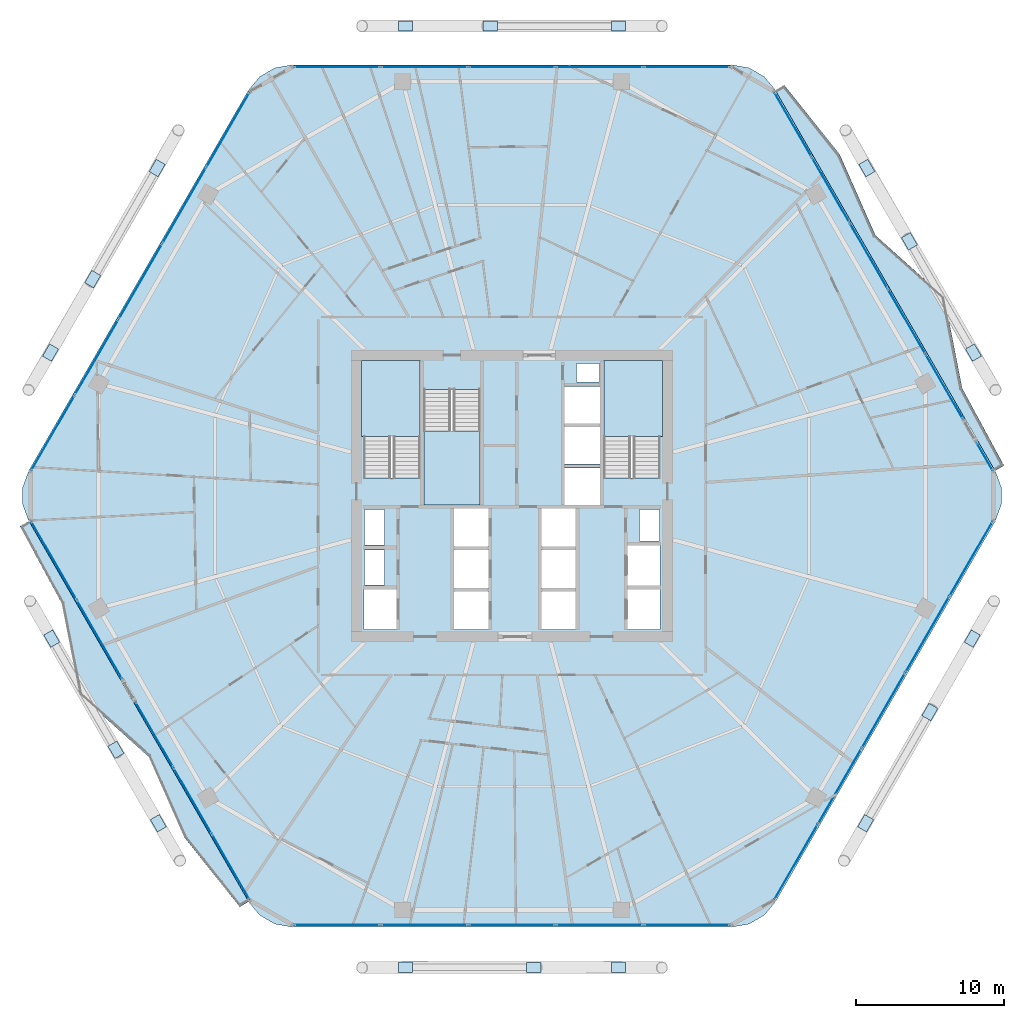
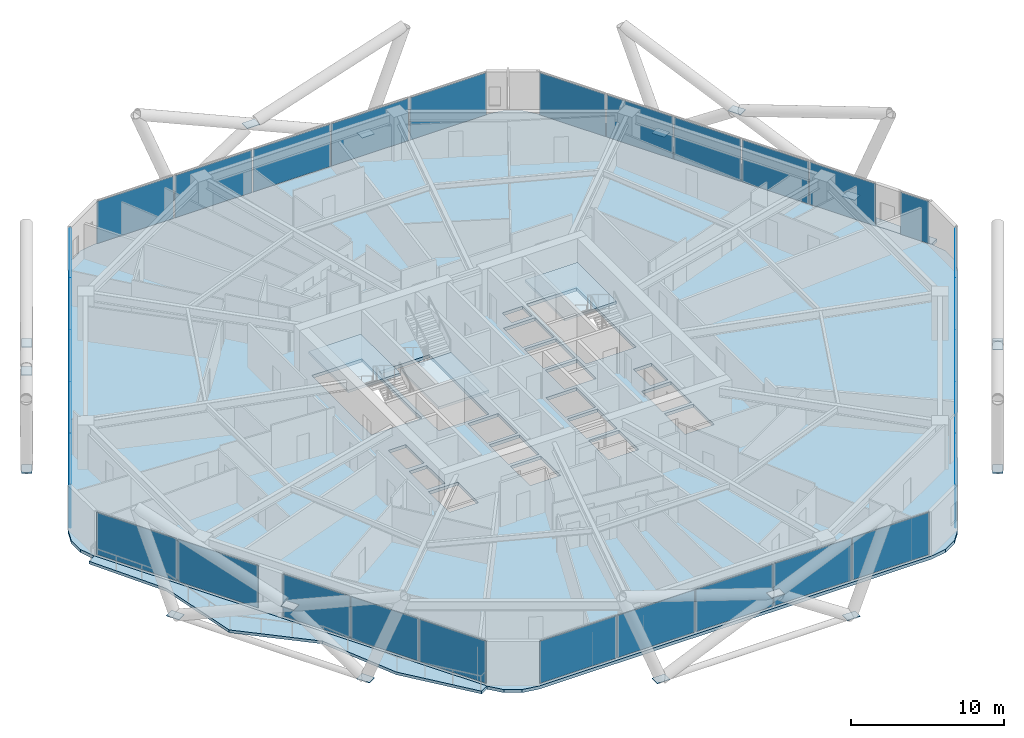
# One storey, part 25 of 34: 49 plates, 6 slabs, 11 elements without a shape of their own.
"""IFC4 building model written with IfcOpenShell, lengths in metres."""

from ifc_helpers import new_model, si_unit, direction, frame, origin, origin_2d, place, context, subcontext, project, spatial, polyline, rectangle, outline, extrude, material, layer, layer_set, type_object, element, aggregate, save


model = new_model("IFC4")

# Units and contexts
model_context = context("Model", 3, precision=1e-05, world=origin(), true_north=direction((0.0, 1.0)))
body_context = subcontext(model_context, "Body", "Model", "MODEL_VIEW")
ifc_project = project(units=[si_unit("LENGTHUNIT", "METRE"), si_unit("AREAUNIT", "SQUARE_METRE"), si_unit("VOLUMEUNIT", "CUBIC_METRE"), si_unit("PLANEANGLEUNIT", "RADIAN"), si_unit("MASSUNIT", "GRAM", prefix="KILO")], contexts=[model_context])

# Site, building, storey
site_placement = place(None, origin())
site = spatial("IfcSite", under=ifc_project, at=site_placement, CompositionType="ELEMENT")
building_placement = place(site_placement, origin())
building = spatial("IfcBuilding", under=site, at=building_placement, Name="Zuhravey Tower", CompositionType="ELEMENT")
storey_placement = place(building_placement, frame((0.0, 0.0, 100.0)))
storey = spatial("IfcBuildingStorey", under=building, at=storey_placement, Name="L24", CompositionType="ELEMENT", Elevation=100.0)

# Plates
ifc_material_1 = material(Name="Steel SM460", Category="steel")
ifc_layer_1 = layer(ifc_material_1, 0.0400390625)
ifc_layer_set_1 = layer_set([ifc_layer_1], Name="Steel SM460")
plate_type_1 = type_object("IfcPlateType", Name="Exoskeleton Zone 1 Node Plate ND1", PredefinedType="SHEET", material=ifc_layer_set_1)
for number, where, z_axis, x_axis, name in (
    (1, (67.143798828125, 41.67431640625, -0.484130859375), (0.0, 0.0, 1.0), (-0.5, 0.866025403784, 0.0), "L24 Exoskeleton Node Gusset L24-01"),
    (2, (59.949951171875, 54.13427734375, -0.484130859375), (0.0, 0.0, 1.0), (-0.5, 0.866025403784, 0.0), "L24 Exoskeleton Node Gusset L24-02"),
    (3, (43.19384765625, 63.718505859375, -0.484130859375), (0.0, 0.0, 1.0), (-1.0, 0.0, 0.0), "L24 Exoskeleton Node Gusset L24-03"),
    (4, (28.80615234375, 63.718505859375, -0.484130859375), (0.0, 0.0, 1.0), (-1.0, 0.0, 0.0), "L24 Exoskeleton Node Gusset L24-04"),
    (5, (12.050048828125, 54.13427734375, -0.484130859375), (0.0, 0.0, 1.0), (-0.5, -0.866025403784, 0.0), "L24 Exoskeleton Node Gusset L24-05"),
    (6, (4.856201171875, 41.67431640625, -0.484130859375), (0.0, 0.0, 1.0), (-0.5, -0.866025403784, 0.0), "L24 Exoskeleton Node Gusset L24-06"),
    (7, (4.93408203125, 22.370849609375, -0.484130859375), (0.0, 0.0, 1.0), (0.5, -0.866025403784, 0.0), "L24 Exoskeleton Node Gusset L24-07"),
    (8, (12.1279296875, 9.91064453125, -0.484130859375), (0.0, 0.0, 1.0), (0.5, -0.866025403784, 0.0), "L24 Exoskeleton Node Gusset L24-08"),
    (9, (28.80615234375, 0.19140625, -0.484130859375), (0.0, 0.0, 1.0), (1.0, 0.0, 0.0), "L24 Exoskeleton Node Gusset L24-09"),
    (10, (43.19384765625, 0.19140625, -0.484130859375), (0.0, 0.0, 1.0), (1.0, 0.0, 0.0), "L24 Exoskeleton Node Gusset L24-10"),
    (11, (59.8720703125, 9.91064453125, -0.484130859375), (0.0, 0.0, 1.0), (0.5, 0.866025403784, 0.0), "L24 Exoskeleton Node Gusset L24-11"),
    (12, (67.06591796875, 22.370849609375, -0.484130859375), (0.0, 0.0, 1.0), (0.5, 0.866025403784, 0.0), "L24 Exoskeleton Node Gusset L24-12"),
    (13, (62.82421875, 49.18603515625, 3.31591796875), (0.0, 0.0, 1.0), (-0.5, 0.866025403784, 0.0), "L24 Face 1 Diagrid X-Crossing Plate"),
    (14, (34.528564453125, 63.718505859375, 3.31591796875), (0.0, 0.0, 1.0), (-1.0, 0.0, 0.0), "L24 Face 2 Diagrid X-Crossing Plate"),
    (15, (7.704345703125, 46.637451171875, 3.31591796875), (0.0, 0.0, 1.0), (-0.5, -0.866025403784, 0.0), "L24 Face 3 Diagrid X-Crossing Plate"),
    (16, (9.266845703125, 14.866455078125, 3.31591796875), (0.0, 0.0, 1.0), (0.5, -0.866025403784, 0.0), "L24 Face 4 Diagrid X-Crossing Plate"),
    (17, (37.471435546875, 0.176513671875, 3.31591796875), (0.0, 0.0, 1.0), (1.0, 0.0, 0.0), "L24 Face 5 Diagrid X-Crossing Plate"),
    (18, (64.204833984375, 17.4150390625, 3.31591796875), (0.0, 0.0, 1.0), (0.5, 0.866025403784, 0.0), "L24 Face 6 Diagrid X-Crossing Plate"),
):
    element("IfcPlate", number, at=place(storey_placement, frame(where, z_axis=z_axis, x_axis=x_axis)), inside=storey, type_object=plate_type_1, Name=name, PredefinedType="SHEET", context=body_context, shape_type="SweptSolid", body=[
        extrude(rectangle(XDim=0.9599609375, YDim=0.699951171875, at=origin_2d()), origin(), (0.0, 0.0, 1.0), 0.0400390625),
    ])

# Slabs
ifc_material_2 = material(Name="Concrete C50/60", Category="concrete")
ifc_layer_2 = layer(ifc_material_2, 0.25)
ifc_layer_set_2 = layer_set([ifc_layer_2], Name="Concrete C50/60")
slab_type_1 = type_object("IfcSlabType", Name="Residential Acoustic Slab 250", PredefinedType="FLOOR", material=ifc_layer_set_2)
slab_1_placement = place(storey_placement, frame((0.0, 0.0, -0.25)))
element("IfcSlab", 19, at=slab_1_placement, inside=storey, type_object=slab_type_1, Name="L24 Floor Slab FS25", PredefinedType="FLOOR", context=body_context, shape_type="SweptSolid", body=[
    extrude(outline(polyline([(68.618408203125, 30.300048828125), (69.0224609375, 31.40966796875), (69.0224609375, 32.59033203125), (68.618408203125, 33.699951171875), (53.781494140625, 59.3984375), (53.0224609375, 60.302978515625), (52.0, 60.893310546875), (50.8369140625, 61.098388671875), (21.1630859375, 61.098388671875), (20.0, 60.893310546875), (18.9775390625, 60.302978515625), (18.218505859375, 59.3984375), (3.381591796875, 33.699951171875), (2.9775390625, 32.59033203125), (2.9775390625, 31.40966796875), (3.381591796875, 30.300048828125), (18.218505859375, 4.6015625), (18.9775390625, 3.697021484375), (20.0, 3.106689453125), (21.1630859375, 2.901611328125), (50.8369140625, 2.901611328125), (52.0, 3.106689453125), (53.0224609375, 3.697021484375), (53.781494140625, 4.6015625), (68.618408203125, 30.300048828125)]), holes=[polyline([(29.800048828125, 33.20068359375), (29.800048828125, 41.0), (26.0, 41.0), (26.0, 33.20068359375), (29.800048828125, 33.20068359375)]), polyline([(46.0, 33.20068359375), (46.0, 41.0), (42.199951171875, 41.0), (42.199951171875, 33.20068359375), (46.0, 33.20068359375)]), polyline([(30.050048828125, 39.199462890625), (30.050048828125, 31.39990234375), (33.85009765625, 31.39990234375), (33.85009765625, 39.199462890625), (30.050048828125, 39.199462890625)]), polyline([(32.10009765625, 23.0), (34.39990234375, 23.0), (34.39990234375, 25.550048828125), (32.10009765625, 25.550048828125), (32.10009765625, 23.0)]), polyline([(32.10009765625, 25.800048828125), (34.39990234375, 25.800048828125), (34.39990234375, 28.35009765625), (32.10009765625, 28.35009765625), (32.10009765625, 25.800048828125)]), polyline([(32.10009765625, 28.60009765625), (34.39990234375, 28.60009765625), (34.39990234375, 31.14990234375), (32.10009765625, 31.14990234375), (32.10009765625, 28.60009765625)]), polyline([(38.0, 23.0), (40.300048828125, 23.0), (40.300048828125, 25.550048828125), (38.0, 25.550048828125), (38.0, 23.0)]), polyline([(38.0, 25.800048828125), (40.300048828125, 25.800048828125), (40.300048828125, 28.35009765625), (38.0, 28.35009765625), (38.0, 25.800048828125)]), polyline([(38.0, 28.60009765625), (40.300048828125, 28.60009765625), (40.300048828125, 31.14990234375), (38.0, 31.14990234375), (38.0, 28.60009765625)]), polyline([(39.550048828125, 31.39990234375), (41.949951171875, 31.39990234375), (41.949951171875, 33.89990234375), (39.550048828125, 33.89990234375), (39.550048828125, 31.39990234375)]), polyline([(39.550048828125, 34.14990234375), (41.949951171875, 34.14990234375), (41.949951171875, 36.64990234375), (39.550048828125, 36.64990234375), (39.550048828125, 34.14990234375)]), polyline([(39.550048828125, 36.89990234375), (41.949951171875, 36.89990234375), (41.949951171875, 39.39990234375), (39.550048828125, 39.39990234375), (39.550048828125, 36.89990234375)]), polyline([(26.0, 23.0), (28.199951171875, 23.0), (28.199951171875, 25.699951171875), (26.0, 25.699951171875), (26.0, 23.0)]), polyline([(43.800048828125, 23.0), (46.0, 23.0), (46.0, 25.699951171875), (43.800048828125, 25.699951171875), (43.800048828125, 23.0)]), polyline([(43.800048828125, 25.949951171875), (46.0, 25.949951171875), (46.0, 28.64990234375), (43.800048828125, 28.64990234375), (43.800048828125, 25.949951171875)]), polyline([(26.050048828125, 26.0), (27.39990234375, 26.0), (27.39990234375, 28.35009765625), (26.050048828125, 28.35009765625), (26.050048828125, 26.0)]), polyline([(26.050048828125, 28.699951171875), (27.39990234375, 28.699951171875), (27.39990234375, 31.10009765625), (26.050048828125, 31.10009765625), (26.050048828125, 28.699951171875)]), polyline([(44.60009765625, 28.949951171875), (45.949951171875, 28.949951171875), (45.949951171875, 31.10009765625), (44.60009765625, 31.10009765625), (44.60009765625, 28.949951171875)]), polyline([(40.35009765625, 39.699951171875), (41.89990234375, 39.699951171875), (41.89990234375, 40.949951171875), (40.35009765625, 40.949951171875), (40.35009765625, 39.699951171875)])]), origin(), (0.0, 0.0, 1.0), 0.25),
])
ifc_material_3 = material(Name="Concrete C40/50", Category="concrete")
ifc_layer_3 = layer(ifc_material_3, 0.219970703125)
ifc_layer_set_3 = layer_set([ifc_layer_3], Name="Concrete C40/50")
slab_type_2 = type_object("IfcSlabType", Name="Sinusoidal Residential Wave Balcony 220", PredefinedType="FLOOR", material=ifc_layer_set_3)
slab_2_placement = place(storey_placement, frame((0.0, 0.0, -0.219970703125)))
element("IfcSlab", 20, at=slab_2_placement, inside=storey, type_object=slab_type_2, Name="L24 Face 1 Wave Balcony WB22", PredefinedType="FLOOR", context=body_context, shape_type="SweptSolid", body=[
    extrude(outline(polyline([(68.601318359375, 33.699951171875), (53.772705078125, 59.383544921875), (54.37890625, 59.7333984375), (58.1181640625, 55.043212890625), (60.531982421875, 49.587890625), (65.1796875, 45.422607421875), (66.38330078125, 39.268310546875), (69.20751953125, 34.050048828125), (68.601318359375, 33.699951171875)])), origin(), (0.0, 0.0, 1.0), 0.219970703125),
])
slab_3_placement = place(storey_placement, frame((0.0, 0.0, -0.219970703125)))
element("IfcSlab", 21, at=slab_3_placement, inside=storey, type_object=slab_type_2, Name="L24 Face 4 Wave Balcony WB22", PredefinedType="FLOOR", context=body_context, shape_type="SweptSolid", body=[
    extrude(outline(polyline([(3.398681640625, 30.300048828125), (18.227294921875, 4.616455078125), (17.62109375, 4.2666015625), (13.8818359375, 8.956787109375), (11.468017578125, 14.412109375), (6.8203125, 18.577392578125), (5.61669921875, 24.731689453125), (2.79248046875, 29.949951171875), (3.398681640625, 30.300048828125)])), origin(), (0.0, 0.0, 1.0), 0.219970703125),
])

# Stair, slab
stair_type = type_object("IfcStairType", Name="Housing Storey Stair Assembly 3800", PredefinedType="HALF_TURN_STAIR", material=ifc_material_3)
stair_1_placement = place(storey_placement, origin())
stair_1 = element("IfcStair", 22, at=stair_1_placement, inside=storey, type_object=stair_type, Name="L24 Core Exit Stair ST1", PredefinedType="HALF_TURN_STAIR")
ifc_layer_4 = layer(ifc_material_3, 0.199951171875)
ifc_layer_set_4 = layer_set([ifc_layer_4], Name="Concrete C40/50")
slab_type_3 = type_object("IfcSlabType", Name="Stair Landing Slab 200", PredefinedType="LANDING", material=ifc_layer_set_4)
slab_4_placement = place(storey_placement, frame((0.0, 0.0, 1.699951171875)))
slab_4 = element("IfcSlab", 23, at=slab_4_placement, type_object=slab_type_3, Name="ST1 landing 1", PredefinedType="LANDING", context=body_context, shape_type="SweptSolid", body=[
    extrude(outline(polyline([(29.800048828125, 36.0), (29.800048828125, 41.14794921875), (25.85205078125, 41.14794921875), (25.85205078125, 36.0), (29.800048828125, 36.0)])), origin(), (0.0, 0.0, 1.0), 0.199951171875),
])
aggregate(stair_1, [slab_4])

stair_2_placement = place(storey_placement, origin())
stair_2 = element("IfcStair", 24, at=stair_2_placement, inside=storey, type_object=stair_type, Name="L24 Core Exit Stair ST2", PredefinedType="HALF_TURN_STAIR")
slab_5_placement = place(storey_placement, frame((0.0, 0.0, 1.699951171875)))
slab_5 = element("IfcSlab", 25, at=slab_5_placement, type_object=slab_type_3, Name="ST2 landing 1", PredefinedType="LANDING", context=body_context, shape_type="SweptSolid", body=[
    extrude(outline(polyline([(46.14794921875, 36.0), (46.14794921875, 41.14794921875), (42.199951171875, 41.14794921875), (42.199951171875, 36.0), (46.14794921875, 36.0)])), origin(), (0.0, 0.0, 1.0), 0.199951171875),
])
aggregate(stair_2, [slab_5])

stair_3_placement = place(storey_placement, origin())
stair_3 = element("IfcStair", 26, at=stair_3_placement, inside=storey, type_object=stair_type, Name="L24 Core Exit Stair ST3", PredefinedType="HALF_TURN_STAIR")
slab_6_placement = place(storey_placement, frame((0.0, 0.0, 1.699951171875)))
slab_6 = element("IfcSlab", 27, at=slab_6_placement, type_object=slab_type_3, Name="ST3 landing 1", PredefinedType="LANDING", context=body_context, shape_type="SweptSolid", body=[
    extrude(outline(polyline([(30.050048828125, 36.39990234375), (30.050048828125, 31.39990234375), (33.85009765625, 31.39990234375), (33.85009765625, 36.39990234375), (30.050048828125, 36.39990234375)])), origin(), (0.0, 0.0, 1.0), 0.199951171875),
])
aggregate(stair_3, [slab_6])

# Curtain wall, plates
ifc_material_4 = material(Name="Thermally broken anodised aluminium", Category="aluminium")
curtain_wall_type = type_object("IfcCurtainWallType", Name="Zone 1-2 Residential Curtain Wall CW3", PredefinedType="NOTDEFINED", material=ifc_material_4)
curtain_wall_1_placement = place(storey_placement, origin())
curtain_wall_1 = element("IfcCurtainWall", 28, at=curtain_wall_1_placement, inside=storey, type_object=curtain_wall_type, Name="L24 CW3 CW-L24-F6-1", PredefinedType="NOTDEFINED")
ifc_material_5 = material(Name="Triple low-E insulated vision glass", Category="glass")
ifc_layer_5 = layer(ifc_material_5, 0.0419921875)
ifc_layer_set_5 = layer_set([ifc_layer_5], Name="Triple low-E insulated vision glass")
plate_type_2 = type_object("IfcPlateType", Name="Triple Low-E Vision Panel", PredefinedType="CURTAIN_PANEL", material=ifc_layer_set_5)
plate_1_placement = place(storey_placement, frame((66.9873046875, 27.754638671875, 0.08984375), z_axis=(0.0, 0.0, 1.0), x_axis=(-0.499999794119, -0.86602552265, 0.0)))
plate_1 = element("IfcPlate", 29, at=plate_1_placement, type_object=plate_type_2, Name="CW3 panel 1.1", PredefinedType="CURTAIN_PANEL", context=body_context, shape_type="SweptSolid", body=[
    extrude(rectangle(XDim=5.784912109375, YDim=0.0419921875, at=origin_2d()), origin(), (0.0, 0.0, 1.0), 3.3701171875),
])
plate_2_placement = place(storey_placement, frame((64.03857421875, 22.6474609375, 0.08984375), z_axis=(0.0, 0.0, 1.0), x_axis=(-0.499999794119, -0.86602552265, 0.0)))
plate_2 = element("IfcPlate", 30, at=plate_2_placement, type_object=plate_type_2, Name="CW3 panel 2.1", PredefinedType="CURTAIN_PANEL", context=body_context, shape_type="SweptSolid", body=[
    extrude(rectangle(XDim=5.829833984375, YDim=0.0419921875, at=origin_2d()), origin(), (0.0, 0.0, 1.0), 3.3701171875),
])
plate_3_placement = place(storey_placement, frame((61.078857421875, 17.520751953125, 0.08984375), z_axis=(0.0, 0.0, 1.0), x_axis=(-0.499999794119, -0.86602552265, 0.0)))
plate_3 = element("IfcPlate", 31, at=plate_3_placement, type_object=plate_type_2, Name="CW3 panel 3.1", PredefinedType="CURTAIN_PANEL", context=body_context, shape_type="SweptSolid", body=[
    extrude(rectangle(XDim=5.829833984375, YDim=0.0419921875, at=origin_2d()), origin(), (0.0, 0.0, 1.0), 3.3701171875),
])
plate_4_placement = place(storey_placement, frame((58.118896484375, 12.39404296875, 0.08984375), z_axis=(0.0, 0.0, 1.0), x_axis=(-0.499999794119, -0.86602552265, 0.0)))
plate_4 = element("IfcPlate", 32, at=plate_4_placement, type_object=plate_type_2, Name="CW3 panel 4.1", PredefinedType="CURTAIN_PANEL", context=body_context, shape_type="SweptSolid", body=[
    extrude(rectangle(XDim=5.829833984375, YDim=0.0419921875, at=origin_2d()), origin(), (0.0, 0.0, 1.0), 3.3701171875),
])
plate_5_placement = place(storey_placement, frame((55.170166015625, 7.286865234375, 0.08984375), z_axis=(0.0, 0.0, 1.0), x_axis=(-0.499999794119, -0.86602552265, 0.0)))
plate_5 = element("IfcPlate", 33, at=plate_5_placement, type_object=plate_type_2, Name="CW3 panel 5.1", PredefinedType="CURTAIN_PANEL", context=body_context, shape_type="SweptSolid", body=[
    extrude(rectangle(XDim=5.784912109375, YDim=0.0419921875, at=origin_2d()), origin(), (0.0, 0.0, 1.0), 3.3701171875),
])
aggregate(curtain_wall_1, [plate_1, plate_2, plate_3, plate_4, plate_5])

curtain_wall_2_placement = place(storey_placement, origin())
curtain_wall_2 = element("IfcCurtainWall", 34, at=curtain_wall_2_placement, inside=storey, type_object=curtain_wall_type, Name="L24 CW3 CW-L24-F5-1", PredefinedType="NOTDEFINED")
plate_6_placement = place(storey_placement, frame((47.817138671875, 3.04150390625, 0.08984375), z_axis=(0.0, 0.0, 1.0), x_axis=(-1.0, 0.0, 0.0)))
plate_6 = element("IfcPlate", 35, at=plate_6_placement, type_object=plate_type_2, Name="CW3 panel 1.1", PredefinedType="CURTAIN_PANEL", context=body_context, shape_type="SweptSolid", body=[
    extrude(rectangle(XDim=5.784912109375, YDim=0.0419921875, at=origin_2d()), origin(), (0.0, 0.0, 1.0), 3.3701171875),
])
plate_7_placement = place(storey_placement, frame((41.919921875, 3.04150390625, 0.08984375), z_axis=(0.0, 0.0, 1.0), x_axis=(-1.0, 0.0, 0.0)))
plate_7 = element("IfcPlate", 36, at=plate_7_placement, type_object=plate_type_2, Name="CW3 panel 2.1", PredefinedType="CURTAIN_PANEL", context=body_context, shape_type="SweptSolid", body=[
    extrude(rectangle(XDim=5.829833984375, YDim=0.0419921875, at=origin_2d()), origin(), (0.0, 0.0, 1.0), 3.3701171875),
])
plate_8_placement = place(storey_placement, frame((36.0, 3.04150390625, 0.08984375), z_axis=(0.0, 0.0, 1.0), x_axis=(-1.0, 0.0, 0.0)))
plate_8 = element("IfcPlate", 37, at=plate_8_placement, type_object=plate_type_2, Name="CW3 panel 3.1", PredefinedType="CURTAIN_PANEL", context=body_context, shape_type="SweptSolid", body=[
    extrude(rectangle(XDim=5.829833984375, YDim=0.0419921875, at=origin_2d()), origin(), (0.0, 0.0, 1.0), 3.3701171875),
])
plate_9_placement = place(storey_placement, frame((30.080078125, 3.04150390625, 0.08984375), z_axis=(0.0, 0.0, 1.0), x_axis=(-1.0, 0.0, 0.0)))
plate_9 = element("IfcPlate", 38, at=plate_9_placement, type_object=plate_type_2, Name="CW3 panel 4.1", PredefinedType="CURTAIN_PANEL", context=body_context, shape_type="SweptSolid", body=[
    extrude(rectangle(XDim=5.829833984375, YDim=0.0419921875, at=origin_2d()), origin(), (0.0, 0.0, 1.0), 3.3701171875),
])
plate_10_placement = place(storey_placement, frame((24.182861328125, 3.04150390625, 0.08984375), z_axis=(0.0, 0.0, 1.0), x_axis=(-1.0, 0.0, 0.0)))
plate_10 = element("IfcPlate", 39, at=plate_10_placement, type_object=plate_type_2, Name="CW3 panel 5.1", PredefinedType="CURTAIN_PANEL", context=body_context, shape_type="SweptSolid", body=[
    extrude(rectangle(XDim=5.784912109375, YDim=0.0419921875, at=origin_2d()), origin(), (0.0, 0.0, 1.0), 3.3701171875),
])
aggregate(curtain_wall_2, [plate_6, plate_7, plate_8, plate_9, plate_10])

curtain_wall_3_placement = place(storey_placement, origin())
curtain_wall_3 = element("IfcCurtainWall", 40, at=curtain_wall_3_placement, inside=storey, type_object=curtain_wall_type, Name="L24 CW3 CW-L24-F4-1", PredefinedType="NOTDEFINED")
plate_11_placement = place(storey_placement, frame((17.0166015625, 6.96337890625, 0.08984375), z_axis=(0.0, 0.0, 1.0), x_axis=(-0.499999303456, 0.866025805934, 0.0)))
plate_11 = element("IfcPlate", 41, at=plate_11_placement, type_object=plate_type_2, Name="CW3 panel 1.1", PredefinedType="CURTAIN_PANEL", context=body_context, shape_type="SweptSolid", body=[
    extrude(rectangle(XDim=5.037841796875, YDim=0.0419921875, at=origin_2d()), origin(), (0.0, 0.0, 1.0), 3.3701171875),
])
plate_12_placement = place(storey_placement, frame((14.44140625, 11.423828125, 0.08984375), z_axis=(0.0, 0.0, 1.0), x_axis=(-0.499999303456, 0.866025805934, 0.0)))
plate_12 = element("IfcPlate", 42, at=plate_12_placement, type_object=plate_type_2, Name="CW3 panel 2.1", PredefinedType="CURTAIN_PANEL", context=body_context, shape_type="SweptSolid", body=[
    extrude(rectangle(XDim=5.0830078125, YDim=0.0419921875, at=origin_2d()), origin(), (0.0, 0.0, 1.0), 3.3701171875),
])
plate_13_placement = place(storey_placement, frame((11.865966796875, 15.88427734375, 0.08984375), z_axis=(0.0, 0.0, 1.0), x_axis=(-0.499999303456, 0.866025805934, 0.0)))
plate_13 = element("IfcPlate", 43, at=plate_13_placement, type_object=plate_type_2, Name="CW3 panel 3.1", PredefinedType="CURTAIN_PANEL", context=body_context, shape_type="SweptSolid", body=[
    extrude(rectangle(XDim=5.037841796875, YDim=0.0419921875, at=origin_2d()), origin(), (0.0, 0.0, 1.0), 3.3701171875),
])
aggregate(curtain_wall_3, [plate_11, plate_12, plate_13])

curtain_wall_4_placement = place(storey_placement, origin())
curtain_wall_4 = element("IfcCurtainWall", 44, at=curtain_wall_4_placement, inside=storey, type_object=curtain_wall_type, Name="L24 CW3 CW-L24-F4-2", PredefinedType="NOTDEFINED")
plate_14_placement = place(storey_placement, frame((8.15283203125, 22.315673828125, 0.08984375), z_axis=(0.0, 0.0, 1.0), x_axis=(-0.499998870411, 0.866026055952, 0.0)))
plate_14 = element("IfcPlate", 45, at=plate_14_placement, type_object=plate_type_2, Name="CW3 panel 1.1", PredefinedType="CURTAIN_PANEL", context=body_context, shape_type="SweptSolid", body=[
    extrude(rectangle(XDim=6.05517578125, YDim=0.0419921875, at=origin_2d()), origin(), (0.0, 0.0, 1.0), 3.3701171875),
])
plate_15_placement = place(storey_placement, frame((5.080322265625, 27.6376953125, 0.08984375), z_axis=(0.0, 0.0, 1.0), x_axis=(-0.499998870411, 0.866026055952, 0.0)))
plate_15 = element("IfcPlate", 46, at=plate_15_placement, type_object=plate_type_2, Name="CW3 panel 2.1", PredefinedType="CURTAIN_PANEL", context=body_context, shape_type="SweptSolid", body=[
    extrude(rectangle(XDim=6.05517578125, YDim=0.0419921875, at=origin_2d()), origin(), (0.0, 0.0, 1.0), 3.3701171875),
])
aggregate(curtain_wall_4, [plate_14, plate_15])

curtain_wall_5_placement = place(storey_placement, origin())
curtain_wall_5 = element("IfcCurtainWall", 47, at=curtain_wall_5_placement, inside=storey, type_object=curtain_wall_type, Name="L24 CW3 CW-L24-F3-1", PredefinedType="NOTDEFINED")
plate_16_placement = place(storey_placement, frame((5.0126953125, 36.245361328125, 0.08984375), z_axis=(0.0, 0.0, 1.0), x_axis=(0.499999794119, 0.86602552265, 0.0)))
plate_16 = element("IfcPlate", 48, at=plate_16_placement, type_object=plate_type_2, Name="CW3 panel 1.1", PredefinedType="CURTAIN_PANEL", context=body_context, shape_type="SweptSolid", body=[
    extrude(rectangle(XDim=5.784912109375, YDim=0.0419921875, at=origin_2d()), origin(), (0.0, 0.0, 1.0), 3.3701171875),
])
plate_17_placement = place(storey_placement, frame((7.96142578125, 41.3525390625, 0.08984375), z_axis=(0.0, 0.0, 1.0), x_axis=(0.499999794119, 0.86602552265, 0.0)))
plate_17 = element("IfcPlate", 49, at=plate_17_placement, type_object=plate_type_2, Name="CW3 panel 2.1", PredefinedType="CURTAIN_PANEL", context=body_context, shape_type="SweptSolid", body=[
    extrude(rectangle(XDim=5.829833984375, YDim=0.0419921875, at=origin_2d()), origin(), (0.0, 0.0, 1.0), 3.3701171875),
])
plate_18_placement = place(storey_placement, frame((10.921142578125, 46.479248046875, 0.08984375), z_axis=(0.0, 0.0, 1.0), x_axis=(0.499999794119, 0.86602552265, 0.0)))
plate_18 = element("IfcPlate", 50, at=plate_18_placement, type_object=plate_type_2, Name="CW3 panel 3.1", PredefinedType="CURTAIN_PANEL", context=body_context, shape_type="SweptSolid", body=[
    extrude(rectangle(XDim=5.829833984375, YDim=0.0419921875, at=origin_2d()), origin(), (0.0, 0.0, 1.0), 3.3701171875),
])
plate_19_placement = place(storey_placement, frame((13.881103515625, 51.60595703125, 0.08984375), z_axis=(0.0, 0.0, 1.0), x_axis=(0.499999794119, 0.86602552265, 0.0)))
plate_19 = element("IfcPlate", 51, at=plate_19_placement, type_object=plate_type_2, Name="CW3 panel 4.1", PredefinedType="CURTAIN_PANEL", context=body_context, shape_type="SweptSolid", body=[
    extrude(rectangle(XDim=5.829833984375, YDim=0.0419921875, at=origin_2d()), origin(), (0.0, 0.0, 1.0), 3.3701171875),
])
plate_20_placement = place(storey_placement, frame((16.829833984375, 56.713134765625, 0.08984375), z_axis=(0.0, 0.0, 1.0), x_axis=(0.499999794119, 0.86602552265, 0.0)))
plate_20 = element("IfcPlate", 52, at=plate_20_placement, type_object=plate_type_2, Name="CW3 panel 5.1", PredefinedType="CURTAIN_PANEL", context=body_context, shape_type="SweptSolid", body=[
    extrude(rectangle(XDim=5.784912109375, YDim=0.0419921875, at=origin_2d()), origin(), (0.0, 0.0, 1.0), 3.3701171875),
])
aggregate(curtain_wall_5, [plate_16, plate_17, plate_18, plate_19, plate_20])

curtain_wall_6_placement = place(storey_placement, origin())
curtain_wall_6 = element("IfcCurtainWall", 53, at=curtain_wall_6_placement, inside=storey, type_object=curtain_wall_type, Name="L24 CW3 CW-L24-F2-1", PredefinedType="NOTDEFINED")
plate_21_placement = place(storey_placement, frame((24.182861328125, 60.95849609375, 0.08984375), z_axis=(0.0, 0.0, 1.0), x_axis=(1.0, 0.0, 0.0)))
plate_21 = element("IfcPlate", 54, at=plate_21_placement, type_object=plate_type_2, Name="CW3 panel 1.1", PredefinedType="CURTAIN_PANEL", context=body_context, shape_type="SweptSolid", body=[
    extrude(rectangle(XDim=5.784912109375, YDim=0.0419921875, at=origin_2d()), origin(), (0.0, 0.0, 1.0), 3.3701171875),
])
plate_22_placement = place(storey_placement, frame((30.080078125, 60.95849609375, 0.08984375), z_axis=(0.0, 0.0, 1.0), x_axis=(1.0, 0.0, 0.0)))
plate_22 = element("IfcPlate", 55, at=plate_22_placement, type_object=plate_type_2, Name="CW3 panel 2.1", PredefinedType="CURTAIN_PANEL", context=body_context, shape_type="SweptSolid", body=[
    extrude(rectangle(XDim=5.829833984375, YDim=0.0419921875, at=origin_2d()), origin(), (0.0, 0.0, 1.0), 3.3701171875),
])
plate_23_placement = place(storey_placement, frame((36.0, 60.95849609375, 0.08984375), z_axis=(0.0, 0.0, 1.0), x_axis=(1.0, 0.0, 0.0)))
plate_23 = element("IfcPlate", 56, at=plate_23_placement, type_object=plate_type_2, Name="CW3 panel 3.1", PredefinedType="CURTAIN_PANEL", context=body_context, shape_type="SweptSolid", body=[
    extrude(rectangle(XDim=5.829833984375, YDim=0.0419921875, at=origin_2d()), origin(), (0.0, 0.0, 1.0), 3.3701171875),
])
plate_24_placement = place(storey_placement, frame((41.919921875, 60.95849609375, 0.08984375), z_axis=(0.0, 0.0, 1.0), x_axis=(1.0, 0.0, 0.0)))
plate_24 = element("IfcPlate", 57, at=plate_24_placement, type_object=plate_type_2, Name="CW3 panel 4.1", PredefinedType="CURTAIN_PANEL", context=body_context, shape_type="SweptSolid", body=[
    extrude(rectangle(XDim=5.829833984375, YDim=0.0419921875, at=origin_2d()), origin(), (0.0, 0.0, 1.0), 3.3701171875),
])
plate_25_placement = place(storey_placement, frame((47.817138671875, 60.95849609375, 0.08984375), z_axis=(0.0, 0.0, 1.0), x_axis=(1.0, 0.0, 0.0)))
plate_25 = element("IfcPlate", 58, at=plate_25_placement, type_object=plate_type_2, Name="CW3 panel 5.1", PredefinedType="CURTAIN_PANEL", context=body_context, shape_type="SweptSolid", body=[
    extrude(rectangle(XDim=5.784912109375, YDim=0.0419921875, at=origin_2d()), origin(), (0.0, 0.0, 1.0), 3.3701171875),
])
aggregate(curtain_wall_6, [plate_21, plate_22, plate_23, plate_24, plate_25])

curtain_wall_7_placement = place(storey_placement, origin())
curtain_wall_7 = element("IfcCurtainWall", 59, at=curtain_wall_7_placement, inside=storey, type_object=curtain_wall_type, Name="L24 CW3 CW-L24-F1-1", PredefinedType="NOTDEFINED")
plate_26_placement = place(storey_placement, frame((54.96923828125, 57.06103515625, 0.08984375), z_axis=(0.0, 0.0, 1.0), x_axis=(0.499999354756, -0.866025776316, 0.0)))
plate_26 = element("IfcPlate", 60, at=plate_26_placement, type_object=plate_type_2, Name="CW3 panel 1.1", PredefinedType="CURTAIN_PANEL", context=body_context, shape_type="SweptSolid", body=[
    extrude(rectangle(XDim=4.9814453125, YDim=0.0419921875, at=origin_2d()), origin(), (0.0, 0.0, 1.0), 3.3701171875),
])
plate_27_placement = place(storey_placement, frame((57.516357421875, 52.649658203125, 0.08984375), z_axis=(0.0, 0.0, 1.0), x_axis=(0.499999354756, -0.866025776316, 0.0)))
plate_27 = element("IfcPlate", 61, at=plate_27_placement, type_object=plate_type_2, Name="CW3 panel 2.1", PredefinedType="CURTAIN_PANEL", context=body_context, shape_type="SweptSolid", body=[
    extrude(rectangle(XDim=5.0263671875, YDim=0.0419921875, at=origin_2d()), origin(), (0.0, 0.0, 1.0), 3.3701171875),
])
plate_28_placement = place(storey_placement, frame((60.074462890625, 48.21875, 0.08984375), z_axis=(0.0, 0.0, 1.0), x_axis=(0.499999354756, -0.866025776316, 0.0)))
plate_28 = element("IfcPlate", 62, at=plate_28_placement, type_object=plate_type_2, Name="CW3 panel 3.1", PredefinedType="CURTAIN_PANEL", context=body_context, shape_type="SweptSolid", body=[
    extrude(rectangle(XDim=5.0263671875, YDim=0.0419921875, at=origin_2d()), origin(), (0.0, 0.0, 1.0), 3.3701171875),
])
plate_29_placement = place(storey_placement, frame((62.6328125, 43.78759765625, 0.08984375), z_axis=(0.0, 0.0, 1.0), x_axis=(0.499999354756, -0.866025776316, 0.0)))
plate_29 = element("IfcPlate", 63, at=plate_29_placement, type_object=plate_type_2, Name="CW3 panel 4.1", PredefinedType="CURTAIN_PANEL", context=body_context, shape_type="SweptSolid", body=[
    extrude(rectangle(XDim=5.0263671875, YDim=0.0419921875, at=origin_2d()), origin(), (0.0, 0.0, 1.0), 3.3701171875),
])
plate_30_placement = place(storey_placement, frame((65.1796875, 39.376220703125, 0.08984375), z_axis=(0.0, 0.0, 1.0), x_axis=(0.499999354756, -0.866025776316, 0.0)))
plate_30 = element("IfcPlate", 64, at=plate_30_placement, type_object=plate_type_2, Name="CW3 panel 5.1", PredefinedType="CURTAIN_PANEL", context=body_context, shape_type="SweptSolid", body=[
    extrude(rectangle(XDim=4.9814453125, YDim=0.0419921875, at=origin_2d()), origin(), (0.0, 0.0, 1.0), 3.3701171875),
])
aggregate(curtain_wall_7, [plate_26, plate_27, plate_28, plate_29, plate_30])

# Curtain wall, plate
curtain_wall_8_placement = place(storey_placement, origin())
curtain_wall_8 = element("IfcCurtainWall", 65, at=curtain_wall_8_placement, inside=storey, type_object=curtain_wall_type, Name="L24 CW3 CW-L24-F1-2", PredefinedType="NOTDEFINED")
plate_31_placement = place(storey_placement, frame((67.899169921875, 34.665771484375, 0.08984375), z_axis=(0.0, 0.0, 1.0), x_axis=(0.499996423153, -0.866027468868, 0.0)))
plate_31 = element("IfcPlate", 66, at=plate_31_placement, type_object=plate_type_2, Name="CW3 panel 1.1", PredefinedType="CURTAIN_PANEL", context=body_context, shape_type="SweptSolid", body=[
    extrude(rectangle(XDim=2.136962890625, YDim=0.0419921875, at=origin_2d()), origin(), (0.0, 0.0, 1.0), 3.3701171875),
])
aggregate(curtain_wall_8, [plate_31])

save(model, "model.ifc")
